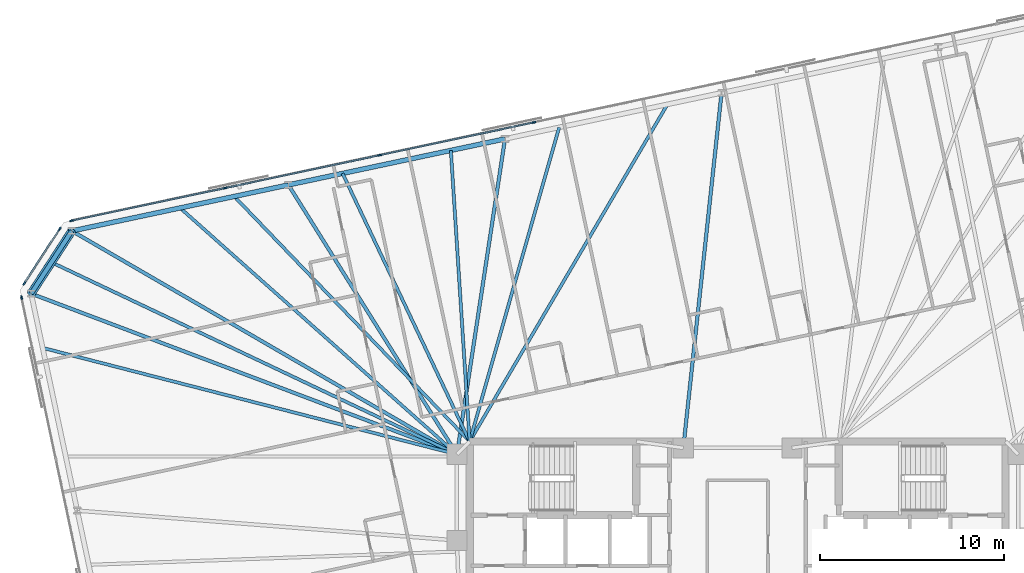
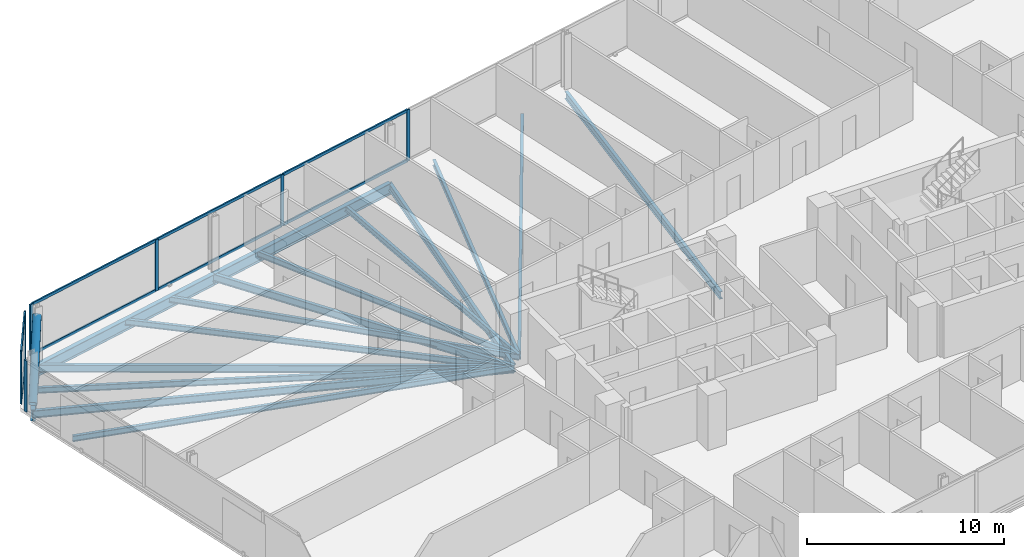
# One storey, part 9 of 20: 16 beams, 16 members, 3 elements without a shape of their own.
"""IFC4 building model written with IfcOpenShell, lengths in metres."""

from ifc_helpers import new_model, si_unit, direction, frame, origin, origin_2d, place, context, subcontext, project, spatial, rectangle, hollow_circle, i_section, extrude, material, material_profile, profile_set, type_object, element, aggregate, save


model = new_model("IFC4")

# Units and contexts
model_context = context("Model", 3, precision=1e-05, world=origin(), true_north=direction((0.0, 1.0)))
body_context = subcontext(model_context, "Body", "Model", "MODEL_VIEW")
ifc_project = project(units=[si_unit("LENGTHUNIT", "METRE"), si_unit("AREAUNIT", "SQUARE_METRE"), si_unit("VOLUMEUNIT", "CUBIC_METRE"), si_unit("PLANEANGLEUNIT", "RADIAN"), si_unit("MASSUNIT", "GRAM", prefix="KILO")], contexts=[model_context])

# Site, building, storey
site_placement = place(None, origin())
site = spatial("IfcSite", under=ifc_project, at=site_placement, CompositionType="ELEMENT")
building_placement = place(site_placement, origin())
building = spatial("IfcBuilding", under=site, at=building_placement, Name="Menara Jurai Vektor", CompositionType="ELEMENT")
storey_placement = place(building_placement, frame((0.0, 0.0, 185.39990234375)))
storey = spatial("IfcBuildingStorey", under=building, at=storey_placement, Name="L48", CompositionType="ELEMENT", Elevation=185.39990234375)

# Curtain wall, members
ifc_material_1 = material(Name="Anodised Pale Aluminium & Low-E Double Glazing", Category="aluminium")
curtain_wall_type = type_object("IfcCurtainWallType", Name="CW-BLK3", PredefinedType="NOTDEFINED", material=ifc_material_1)
curtain_wall_1_placement = place(storey_placement, origin())
curtain_wall_1 = element("IfcCurtainWall", 1, at=curtain_wall_1_placement, inside=storey, type_object=curtain_wall_type, Name="Unitised Curtain Wall L48 F05", PredefinedType="NOTDEFINED")
ifc_material_2 = material(Name="Anodised Pale Aluminium Mullion", Category="aluminium")
ifc_material_profile_1 = material_profile(ifc_material_2, rectangle(XDim=0.0849609375, YDim=0.205078125, at=origin_2d()), Name="ALU MUL 85x205")
ifc_profile_set_1 = profile_set([ifc_material_profile_1], Name="Anodised Pale Aluminium Mullion")
member_type_1 = type_object("IfcMemberType", Name="CW-BLK3-MUL", PredefinedType="MULLION", material=ifc_profile_set_1)
member_1_placement = place(storey_placement, frame((-11.06494140625, 22.9384765625, 0.0), z_axis=(0.0, 0.0, 1.0), x_axis=(0.207911344156, -0.978147674419, 0.0)))
member_1 = element("IfcMember", 2, at=member_1_placement, type_object=member_type_1, Name="CW-03 mullion 5", PredefinedType="MULLION", context=body_context, shape_type="SweptSolid", body=[
    extrude(rectangle(XDim=0.0849609375, YDim=0.205078125, at=origin_2d()), origin(), (0.0, 0.0, 1.0), 3.175048828125),
])
member_2_placement = place(storey_placement, frame((-19.45458984375, 21.1552734375, 0.0), z_axis=(0.0, 0.0, 1.0), x_axis=(0.207911344156, -0.978147674419, 0.0)))
member_2 = element("IfcMember", 3, at=member_2_placement, type_object=member_type_1, Name="CW-03 mullion 6", PredefinedType="MULLION", context=body_context, shape_type="SweptSolid", body=[
    extrude(rectangle(XDim=0.0849609375, YDim=0.205078125, at=origin_2d()), origin(), (0.0, 0.0, 1.0), 3.175048828125),
])
member_3_placement = place(storey_placement, frame((-27.844482421875, 19.3720703125, 0.0), z_axis=(0.0, 0.0, 1.0), x_axis=(0.207911344156, -0.978147674419, 0.0)))
member_3 = element("IfcMember", 4, at=member_3_placement, type_object=member_type_1, Name="CW-03 mullion 7", PredefinedType="MULLION", context=body_context, shape_type="SweptSolid", body=[
    extrude(rectangle(XDim=0.0849609375, YDim=0.205078125, at=origin_2d()), origin(), (0.0, 0.0, 1.0), 3.175048828125),
])
member_4_placement = place(storey_placement, frame((-36.192626953125, 17.59765625, 0.0), z_axis=(0.0, 0.0, 1.0), x_axis=(0.207911344156, -0.978147674419, 0.0)))
member_4 = element("IfcMember", 5, at=member_4_placement, type_object=member_type_1, Name="CW-03 mullion 8", PredefinedType="MULLION", context=body_context, shape_type="SweptSolid", body=[
    extrude(rectangle(XDim=0.0849609375, YDim=0.205078125, at=origin_2d()), origin(), (0.0, 0.0, 1.0), 3.175048828125),
])

curtain_wall_2_placement = place(storey_placement, origin())
curtain_wall_2 = element("IfcCurtainWall", 6, at=curtain_wall_2_placement, inside=storey, type_object=curtain_wall_type, Name="Unitised Curtain Wall L48 F06", PredefinedType="NOTDEFINED")
member_5_placement = place(storey_placement, frame((-36.8359375, 17.1552734375, 0.0), z_axis=(0.0, 0.0, 1.0), x_axis=(0.838684361415, -0.544617794346, 0.0)))
member_5 = element("IfcMember", 7, at=member_5_placement, type_object=member_type_1, Name="CW-03 mullion 1", PredefinedType="MULLION", context=body_context, shape_type="SweptSolid", body=[
    extrude(rectangle(XDim=0.0849609375, YDim=0.205078125, at=origin_2d()), origin(), (0.0, 0.0, 1.0), 3.175048828125),
])
member_6_placement = place(storey_placement, frame((-38.763427734375, 14.187255859375, 0.0), z_axis=(0.0, 0.0, 1.0), x_axis=(0.838684361415, -0.544617794346, 0.0)))
member_6 = element("IfcMember", 8, at=member_6_placement, type_object=member_type_1, Name="CW-03 mullion 2", PredefinedType="MULLION", context=body_context, shape_type="SweptSolid", body=[
    extrude(rectangle(XDim=0.0849609375, YDim=0.205078125, at=origin_2d()), origin(), (0.0, 0.0, 1.0), 3.175048828125),
])

# Curtain wall, member
curtain_wall_3_placement = place(storey_placement, origin())
curtain_wall_3 = element("IfcCurtainWall", 9, at=curtain_wall_3_placement, inside=storey, type_object=curtain_wall_type, Name="Unitised Curtain Wall L48 F07", PredefinedType="NOTDEFINED")
member_7_placement = place(storey_placement, frame((-38.90576171875, 13.419677734375, 0.0), z_axis=(0.0, 0.0, 1.0), x_axis=(0.978147883949, 0.20791035839, 0.0)))
member_7 = element("IfcMember", 10, at=member_7_placement, type_object=member_type_1, Name="CW-03 mullion 1", PredefinedType="MULLION", context=body_context, shape_type="SweptSolid", body=[
    extrude(rectangle(XDim=0.0849609375, YDim=0.205078125, at=origin_2d()), origin(), (0.0, 0.0, 1.0), 3.175048828125),
])
aggregate(curtain_wall_3, [member_7])

# Member
ifc_material_3 = material(Name="Anodised Pale Aluminium Transom", Category="aluminium")
ifc_material_profile_2 = material_profile(ifc_material_3, rectangle(XDim=0.0849609375, YDim=0.175048828125, at=origin_2d()), Name="ALU TRN 85x175")
ifc_profile_set_2 = profile_set([ifc_material_profile_2], Name="Anodised Pale Aluminium Transom")
member_type_2 = type_object("IfcMemberType", Name="CW-BLK3-TRN", PredefinedType="USERDEFINED", material=ifc_profile_set_2)
member_8_placement = place(storey_placement, frame((-11.1064453125, 22.9296875, 0.04248046875), z_axis=(-0.978147743708, -0.207911018178, 0.0), x_axis=(0.207911018178, -0.978147743708, 0.0)))
member_8 = element("IfcMember", 11, at=member_8_placement, type_object=member_type_2, Name="CW-03 transom 5.1", ObjectType="TRANSOM", PredefinedType="USERDEFINED", context=body_context, shape_type="SweptSolid", body=[
    extrude(rectangle(XDim=0.0849609375, YDim=0.175048828125, at=origin_2d()), origin(), (0.0, 0.0, 1.0), 8.4921875),
])

member_9_placement = place(storey_placement, frame((-11.1064453125, 22.9296875, 3.132568359375), z_axis=(-0.978147743708, -0.207911018178, 0.0), x_axis=(0.207911018178, -0.978147743708, 0.0)))
member_9 = element("IfcMember", 12, at=member_9_placement, type_object=member_type_2, Name="CW-03 transom 5.2", ObjectType="TRANSOM", PredefinedType="USERDEFINED", context=body_context, shape_type="SweptSolid", body=[
    extrude(rectangle(XDim=0.0849609375, YDim=0.175048828125, at=origin_2d()), origin(), (0.0, 0.0, 1.0), 8.4921875),
])

member_10_placement = place(storey_placement, frame((-19.496337890625, 21.146484375, 0.04248046875), z_axis=(-0.978146500933, -0.207916864907, 0.0), x_axis=(0.207916864907, -0.978146500933, 0.0)))
member_10 = element("IfcMember", 13, at=member_10_placement, type_object=member_type_2, Name="CW-03 transom 6.1", ObjectType="TRANSOM", PredefinedType="USERDEFINED", context=body_context, shape_type="SweptSolid", body=[
    extrude(rectangle(XDim=0.0849609375, YDim=0.175048828125, at=origin_2d()), origin(), (0.0, 0.0, 1.0), 8.491943359375),
])

member_11_placement = place(storey_placement, frame((-19.496337890625, 21.146484375, 3.132568359375), z_axis=(-0.978146500933, -0.207916864907, 0.0), x_axis=(0.207916864907, -0.978146500933, 0.0)))
member_11 = element("IfcMember", 14, at=member_11_placement, type_object=member_type_2, Name="CW-03 transom 6.2", ObjectType="TRANSOM", PredefinedType="USERDEFINED", context=body_context, shape_type="SweptSolid", body=[
    extrude(rectangle(XDim=0.0849609375, YDim=0.175048828125, at=origin_2d()), origin(), (0.0, 0.0, 1.0), 8.491943359375),
])

member_12_placement = place(storey_placement, frame((-27.885986328125, 19.363037109375, 0.04248046875), z_axis=(-0.978151580361, -0.207892967261, 0.0), x_axis=(0.207892967261, -0.978151580361, 0.0)))
member_12 = element("IfcMember", 15, at=member_12_placement, type_object=member_type_2, Name="CW-03 transom 7.1", ObjectType="TRANSOM", PredefinedType="USERDEFINED", context=body_context, shape_type="SweptSolid", body=[
    extrude(rectangle(XDim=0.0849609375, YDim=0.175048828125, at=origin_2d()), origin(), (0.0, 0.0, 1.0), 8.449462890625),
])

member_13_placement = place(storey_placement, frame((-27.885986328125, 19.363037109375, 3.132568359375), z_axis=(-0.978151580361, -0.207892967261, 0.0), x_axis=(0.207892967261, -0.978151580361, 0.0)))
member_13 = element("IfcMember", 16, at=member_13_placement, type_object=member_type_2, Name="CW-03 transom 7.2", ObjectType="TRANSOM", PredefinedType="USERDEFINED", context=body_context, shape_type="SweptSolid", body=[
    extrude(rectangle(XDim=0.0849609375, YDim=0.175048828125, at=origin_2d()), origin(), (0.0, 0.0, 1.0), 8.449462890625),
])

aggregate(curtain_wall_1, [member_1, member_2, member_3, member_4, member_8, member_9, member_10, member_11, member_12, member_13])

member_14_placement = place(storey_placement, frame((-36.859130859375, 17.11962890625, 0.04248046875), z_axis=(-0.54462804274, -0.83867770631, 0.0), x_axis=(0.83867770631, -0.54462804274, 0.0)))
member_14 = element("IfcMember", 17, at=member_14_placement, type_object=member_type_2, Name="CW-03 transom 1.1", ObjectType="TRANSOM", PredefinedType="USERDEFINED", context=body_context, shape_type="SweptSolid", body=[
    extrude(rectangle(XDim=0.0849609375, YDim=0.175048828125, at=origin_2d()), origin(), (0.0, 0.0, 1.0), 3.453857421875),
])

member_15_placement = place(storey_placement, frame((-36.859130859375, 17.11962890625, 3.132568359375), z_axis=(-0.54462804274, -0.83867770631, 0.0), x_axis=(0.83867770631, -0.54462804274, 0.0)))
member_15 = element("IfcMember", 18, at=member_15_placement, type_object=member_type_2, Name="CW-03 transom 1.2", ObjectType="TRANSOM", PredefinedType="USERDEFINED", context=body_context, shape_type="SweptSolid", body=[
    extrude(rectangle(XDim=0.0849609375, YDim=0.175048828125, at=origin_2d()), origin(), (0.0, 0.0, 1.0), 3.453857421875),
])

aggregate(curtain_wall_2, [member_5, member_6, member_14, member_15])

# Beams
ifc_material_4 = material(Name="Steel S355", Category="steel")
ifc_material_profile_3 = material_profile(ifc_material_4, i_section(OverallWidth=0.19091796875, OverallDepth=0.4599609375, WebThickness=0.010009765625, FlangeThickness=0.01611328125, FilletRadius=0.010009765625, at=origin_2d()), Name="UKB 457x191x82")
ifc_profile_set_3 = profile_set([ifc_material_profile_3], Name="Steel S355")
beam_type_1 = type_object("IfcBeamType", Name="STR-BM-457", PredefinedType="BEAM", material=ifc_profile_set_3)
beam_1_placement = place(storey_placement, frame((-0.87158203125, 24.54296875, -0.454833984375), z_axis=(-0.107107067506, -0.994247492373, 0.0), x_axis=(0.994247492373, -0.107107067506, 0.0)))
element("IfcBeam", 19, at=beam_1_placement, inside=storey, type_object=beam_type_1, Name="Radial Floor Girder L48-N3", PredefinedType="BEAM", context=body_context, shape_type="SweptSolid", body=[
    extrude(i_section(OverallWidth=0.19091796875, OverallDepth=0.4599609375, WebThickness=0.010009765625, FlangeThickness=0.01611328125, FilletRadius=0.010009765625, at=origin_2d()), origin(), (0.0, 0.0, 1.0), 19.404541015625),
])
beam_2_placement = place(storey_placement, frame((-12.639892578125, 22.04150390625, -0.454833984375), z_axis=(-0.150532344322, -0.988605084608, 0.0), x_axis=(0.988605084608, -0.150532344322, 0.0)))
element("IfcBeam", 20, at=beam_2_placement, inside=storey, type_object=beam_type_1, Name="Radial Floor Girder L48-N4", PredefinedType="BEAM", context=body_context, shape_type="SweptSolid", body=[
    extrude(i_section(OverallWidth=0.19091796875, OverallDepth=0.4599609375, WebThickness=0.010009765625, FlangeThickness=0.01611328125, FilletRadius=0.010009765625, at=origin_2d()), origin(), (0.0, 0.0, 1.0), 17.339111328125),
])
beam_3_placement = place(storey_placement, frame((-24.408203125, 19.5400390625, -0.454833984375), z_axis=(0.53033693414, -0.847786963976, 0.0), x_axis=(0.847786963976, 0.53033693414, 0.0)))
element("IfcBeam", 21, at=beam_3_placement, inside=storey, type_object=beam_type_1, Name="Radial Floor Girder L48-N5", PredefinedType="BEAM", context=body_context, shape_type="SweptSolid", body=[
    extrude(i_section(OverallWidth=0.19091796875, OverallDepth=0.4599609375, WebThickness=0.010009765625, FlangeThickness=0.01611328125, FilletRadius=0.010009765625, at=origin_2d()), origin(), (0.0, 0.0, 1.0), 17.2685546875),
])
beam_4_placement = place(storey_placement, frame((-36.17626953125, 17.038818359375, -0.454833984375), z_axis=(0.86500105453, -0.50177004261, 0.0), x_axis=(0.50177004261, 0.86500105453, 0.0)))
element("IfcBeam", 22, at=beam_4_placement, inside=storey, type_object=beam_type_1, Name="Radial Floor Girder L48-N6", PredefinedType="BEAM", context=body_context, shape_type="SweptSolid", body=[
    extrude(i_section(OverallWidth=0.19091796875, OverallDepth=0.4599609375, WebThickness=0.010009765625, FlangeThickness=0.01611328125, FilletRadius=0.010009765625, at=origin_2d()), origin(), (0.0, 0.0, 1.0), 24.192138671875),
])
beam_5_placement = place(storey_placement, frame((-38.388671875, 13.632080078125, -0.454833984375), z_axis=(0.935593658977, -0.353078610626, 0.0), x_axis=(0.353078610626, 0.935593658977, 0.0)))
element("IfcBeam", 23, at=beam_5_placement, inside=storey, type_object=beam_type_1, Name="Radial Floor Girder L48-W1", PredefinedType="BEAM", context=body_context, shape_type="SweptSolid", body=[
    extrude(i_section(OverallWidth=0.19091796875, OverallDepth=0.4599609375, WebThickness=0.010009765625, FlangeThickness=0.01611328125, FilletRadius=0.010009765625, at=origin_2d()), origin(), (0.0, 0.0, 1.0), 24.7314453125),
])

# Member
ifc_material_5 = material(Name="Steel S460", Category="steel")
ifc_material_profile_4 = material_profile(ifc_material_5, hollow_circle(Radius=0.228515625, WallThickness=0.01611328125, at=origin_2d()), Name="CHS 457x16")
ifc_profile_set_4 = profile_set([ifc_material_profile_4], Name="Steel S460")
member_type_3 = type_object("IfcMemberType", Name="STR-BR-457", PredefinedType="BRACE", material=ifc_profile_set_4)
member_16_placement = place(storey_placement, frame((-38.388671875, 13.632080078125, 0.150146484375), z_axis=(0.454887866849, 0.700402825662, 0.5500117366), x_axis=(-0.838648168484, 0.544673525608, 0.0)))
element("IfcMember", 24, at=member_16_placement, inside=storey, type_object=member_type_3, Name="Exoskeleton Corner Brace L48-3", PredefinedType="BRACE", context=body_context, shape_type="SweptSolid", body=[
    extrude(hollow_circle(Radius=0.228515625, WallThickness=0.01611328125, at=origin_2d()), origin(), (0.0, 0.0, 1.0), 4.863525390625),
])

# Beams
ifc_material_profile_5 = material_profile(ifc_material_4, i_section(OverallWidth=0.172119140625, OverallDepth=0.35498046875, WebThickness=0.007080078125, FlangeThickness=0.011962890625, FilletRadius=0.010009765625, at=origin_2d()), Name="UKB 356x171x51")
ifc_profile_set_5 = profile_set([ifc_material_profile_5], Name="Steel S355")
beam_type_2 = type_object("IfcBeamType", Name="STR-JS-356", PredefinedType="JOIST", material=ifc_profile_set_5)
beam_6_placement = place(storey_placement, frame((-3.813720703125, 23.91748046875, -0.40234375), z_axis=(-0.506019514775, -0.862522029091, 0.0), x_axis=(0.862522029091, -0.506019514775, 0.0)))
element("IfcBeam", 25, at=beam_6_placement, inside=storey, type_object=beam_type_2, Name="Radial Secondary Floor Joist L48-JS22", PredefinedType="JOIST", context=body_context, shape_type="SweptSolid", body=[
    extrude(i_section(OverallWidth=0.172119140625, OverallDepth=0.35498046875, WebThickness=0.007080078125, FlangeThickness=0.011962890625, FilletRadius=0.010009765625, at=origin_2d()), origin(), (0.0, 0.0, 1.0), 21.237060546875),
])
beam_7_placement = place(storey_placement, frame((-9.69775390625, 22.666748046875, -0.40234375), z_axis=(-0.273997863708, -0.961730300387, 0.0), x_axis=(0.961730300387, -0.273997863708, 0.0)))
element("IfcBeam", 26, at=beam_7_placement, inside=storey, type_object=beam_type_2, Name="Radial Secondary Floor Joist L48-JS23", PredefinedType="JOIST", context=body_context, shape_type="SweptSolid", body=[
    extrude(i_section(OverallWidth=0.172119140625, OverallDepth=0.35498046875, WebThickness=0.007080078125, FlangeThickness=0.011962890625, FilletRadius=0.010009765625, at=origin_2d()), origin(), (0.0, 0.0, 1.0), 17.745849609375),
])
beam_8_placement = place(storey_placement, frame((-15.581787109375, 21.416015625, -0.40234375), z_axis=(0.064466897528, -0.997919846041, 0.0), x_axis=(0.997919846041, 0.064466897528, 0.0)))
element("IfcBeam", 27, at=beam_8_placement, inside=storey, type_object=beam_type_2, Name="Radial Secondary Floor Joist L48-JS24", PredefinedType="JOIST", context=body_context, shape_type="SweptSolid", body=[
    extrude(i_section(OverallWidth=0.172119140625, OverallDepth=0.35498046875, WebThickness=0.007080078125, FlangeThickness=0.011962890625, FilletRadius=0.010009765625, at=origin_2d()), origin(), (0.0, 0.0, 1.0), 15.848876953125),
])
beam_9_placement = place(storey_placement, frame((-21.466064453125, 20.165283203125, -0.40234375), z_axis=(0.428426167333, -0.903576792057, 0.0), x_axis=(0.903576792057, 0.428426167333, 0.0)))
element("IfcBeam", 28, at=beam_9_placement, inside=storey, type_object=beam_type_2, Name="Radial Secondary Floor Joist L48-JS25", PredefinedType="JOIST", context=body_context, shape_type="SweptSolid", body=[
    extrude(i_section(OverallWidth=0.172119140625, OverallDepth=0.35498046875, WebThickness=0.007080078125, FlangeThickness=0.011962890625, FilletRadius=0.010009765625, at=origin_2d()), origin(), (0.0, 0.0, 1.0), 16.119384765625),
])
beam_10_placement = place(storey_placement, frame((-27.35009765625, 18.914794921875, -0.40234375), z_axis=(0.692755307066, -0.721172714772, 0.0), x_axis=(0.721172714772, 0.692755307066, 0.0)))
element("IfcBeam", 29, at=beam_10_placement, inside=storey, type_object=beam_type_2, Name="Radial Secondary Floor Joist L48-JS26", PredefinedType="JOIST", context=body_context, shape_type="SweptSolid", body=[
    extrude(i_section(OverallWidth=0.172119140625, OverallDepth=0.35498046875, WebThickness=0.007080078125, FlangeThickness=0.011962890625, FilletRadius=0.010009765625, at=origin_2d()), origin(), (0.0, 0.0, 1.0), 18.462646484375),
])
beam_11_placement = place(storey_placement, frame((-30.292236328125, 18.289306640625, -0.40234375), z_axis=(0.746952302948, -0.664877625673, 0.0), x_axis=(0.664877625673, 0.746952302948, 0.0)))
element("IfcBeam", 30, at=beam_11_placement, inside=storey, type_object=beam_type_2, Name="Radial Secondary Floor Joist L48-JS27", PredefinedType="JOIST", context=body_context, shape_type="SweptSolid", body=[
    extrude(i_section(OverallWidth=0.172119140625, OverallDepth=0.35498046875, WebThickness=0.007080078125, FlangeThickness=0.011962890625, FilletRadius=0.010009765625, at=origin_2d()), origin(), (0.0, 0.0, 1.0), 20.13818359375),
])
beam_12_placement = place(storey_placement, frame((-37.282470703125, 15.33544921875, -0.40234375), z_axis=(0.903751908448, -0.428056641085, 0.0), x_axis=(0.428056641085, 0.903751908448, 0.0)))
element("IfcBeam", 31, at=beam_12_placement, inside=storey, type_object=beam_type_2, Name="Radial Secondary Floor Joist L48-JS28", PredefinedType="JOIST", context=body_context, shape_type="SweptSolid", body=[
    extrude(i_section(OverallWidth=0.172119140625, OverallDepth=0.35498046875, WebThickness=0.007080078125, FlangeThickness=0.011962890625, FilletRadius=0.010009765625, at=origin_2d()), origin(), (0.0, 0.0, 1.0), 24.37890625),
])
beam_13_placement = place(storey_placement, frame((-37.76220703125, 10.68505859375, -0.40234375), z_axis=(0.968531283953, -0.248891848005, 0.0), x_axis=(0.248891848005, 0.968531283953, 0.0)))
element("IfcBeam", 32, at=beam_13_placement, inside=storey, type_object=beam_type_2, Name="Radial Secondary Floor Joist L48-JS29", PredefinedType="JOIST", context=body_context, shape_type="SweptSolid", body=[
    extrude(i_section(OverallWidth=0.172119140625, OverallDepth=0.35498046875, WebThickness=0.007080078125, FlangeThickness=0.011962890625, FilletRadius=0.010009765625, at=origin_2d()), origin(), (0.0, 0.0, 1.0), 23.24365234375),
])
ifc_material_profile_6 = material_profile(ifc_material_5, i_section(OverallWidth=0.256103515625, OverallDepth=0.693115234375, WebThickness=0.013916015625, FlangeThickness=0.02392578125, FilletRadius=0.014892578125, at=origin_2d()), Name="UKB 686x254x170")
ifc_profile_set_6 = profile_set([ifc_material_profile_6], Name="Steel S460")
beam_type_3 = type_object("IfcBeamType", Name="STR-SP-686", PredefinedType="SPANDREL", material=ifc_profile_set_6)
beam_14_placement = place(storey_placement, frame((-12.639892578125, 22.04150390625, -0.5712890625), z_axis=(-0.978147039247, -0.207914332389, 0.0), x_axis=(0.207914332389, -0.978147039247, 0.0)))
element("IfcBeam", 33, at=beam_14_placement, inside=storey, type_object=beam_type_3, Name="Exoskeleton Spandrel Beam L48-14", PredefinedType="SPANDREL", context=body_context, shape_type="SweptSolid", body=[
    extrude(i_section(OverallWidth=0.256103515625, OverallDepth=0.693115234375, WebThickness=0.013916015625, FlangeThickness=0.02392578125, FilletRadius=0.014892578125, at=origin_2d()), origin(), (0.0, 0.0, 1.0), 12.03125),
])
beam_15_placement = place(storey_placement, frame((-24.408203125, 19.5400390625, -0.5712890625), z_axis=(-0.978150288855, -0.207899043801, 0.0), x_axis=(0.207899043801, -0.978150288855, 0.0)))
element("IfcBeam", 34, at=beam_15_placement, inside=storey, type_object=beam_type_3, Name="Exoskeleton Spandrel Beam L48-15", PredefinedType="SPANDREL", context=body_context, shape_type="SweptSolid", body=[
    extrude(i_section(OverallWidth=0.256103515625, OverallDepth=0.693115234375, WebThickness=0.013916015625, FlangeThickness=0.02392578125, FilletRadius=0.014892578125, at=origin_2d()), origin(), (0.0, 0.0, 1.0), 12.031005859375),
])
beam_16_placement = place(storey_placement, frame((-36.17626953125, 17.038818359375, -0.5712890625), z_axis=(-0.544646071268, -0.838665998507, 0.0), x_axis=(0.838665998507, -0.544646071268, 0.0)))
element("IfcBeam", 35, at=beam_16_placement, inside=storey, type_object=beam_type_3, Name="Exoskeleton Spandrel Beam L48-16", PredefinedType="SPANDREL", context=body_context, shape_type="SweptSolid", body=[
    extrude(i_section(OverallWidth=0.256103515625, OverallDepth=0.693115234375, WebThickness=0.013916015625, FlangeThickness=0.02392578125, FilletRadius=0.014892578125, at=origin_2d()), origin(), (0.0, 0.0, 1.0), 4.06201171875),
])

save(model, "model.ifc")
